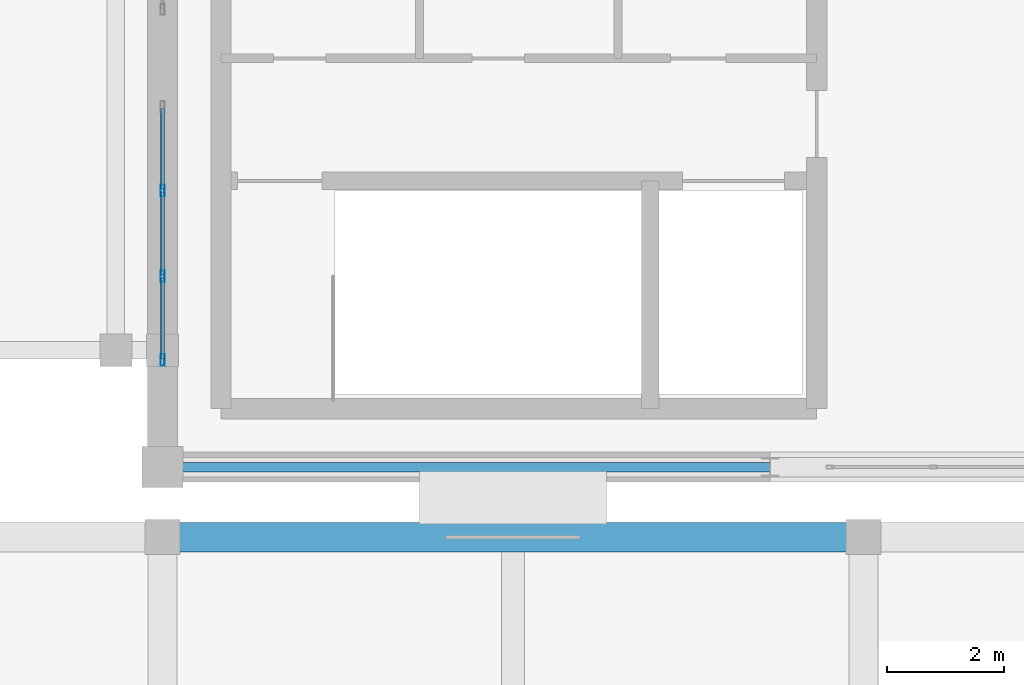
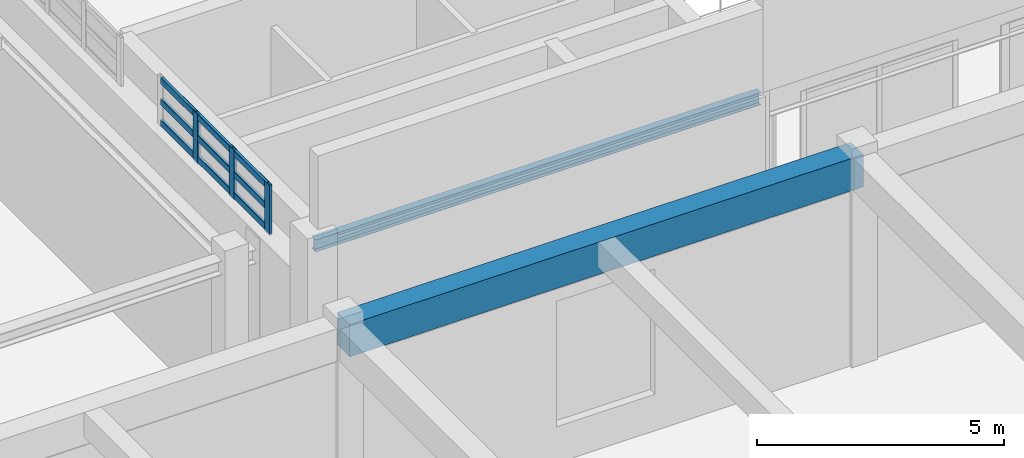
# One storey, part 95 of 197: 12 members, 2 beams, 1 element without a shape of its own.
"""IFC4 building model written with IfcOpenShell, lengths in metres."""

from ifc_helpers import new_model, si_unit, derived_unit, direction, frame, origin, origin_2d, place, context, subcontext, project, spatial, rectangle, hollow_rectangle, i_section, extrude, material, layer, layer_set, material_profile, profile_set, type_object, element, aggregate, save


model = new_model("IFC4")

# Units and contexts
model_context = context("Model", 3, precision=1e-05, world=origin(), true_north=direction((0.0, 1.0)))
body_context = subcontext(model_context, "Body", "Model", "MODEL_VIEW")
ifc_project = project(units=[si_unit("LENGTHUNIT", "METRE"), si_unit("AREAUNIT", "SQUARE_METRE"), si_unit("VOLUMEUNIT", "CUBIC_METRE"), si_unit("PLANEANGLEUNIT", "RADIAN"), si_unit("MASSUNIT", "GRAM", prefix="KILO"), derived_unit("THERMALTRANSMITTANCEUNIT", [(si_unit("POWERUNIT", "WATT"), 1), (si_unit("LENGTHUNIT", "METRE"), -2), (si_unit("THERMODYNAMICTEMPERATUREUNIT", "KELVIN"), -1)])], contexts=[model_context])

# Site, building, storey
site_placement = place(None, origin())
site = spatial("IfcSite", under=ifc_project, at=site_placement, CompositionType="ELEMENT")
building_placement = place(site_placement, origin())
building = spatial("IfcBuilding", under=site, at=building_placement, Name="Almenara Railside Exhibition Hall", CompositionType="ELEMENT")
storey_placement = place(building_placement, frame((0.0, 0.0, 5.39990234375)))
storey = spatial("IfcBuildingStorey", under=building, at=storey_placement, Name="L01", CompositionType="ELEMENT", Elevation=5.39990234375)

# Curtain wall, members
ifc_material_1 = material(Name="Bronze-anodised aluminium and low-E double glazing", Category="aluminium")
ifc_layer = layer(ifc_material_1, 0.179931640625, Name="Bronze-anodised aluminium and low-E double glazing")
ifc_layer_set = layer_set([ifc_layer], Name="Bronze-anodised aluminium and low-E double glazing")
curtain_wall_type = type_object("IfcCurtainWallType", Name="East Hall Clerestory Curtain Wall 4400x2300", PredefinedType="NOTDEFINED", material=ifc_layer_set)
curtain_wall_placement = place(storey_placement, origin())
curtain_wall = element("IfcCurtainWall", 1, at=curtain_wall_placement, inside=storey, type_object=curtain_wall_type, Name="Curtain wall CW-CL3-051", PredefinedType="NOTDEFINED")
ifc_material_2 = material(Name="Bronze-anodised aluminium", Category="aluminium")
ifc_material_profile_1 = material_profile(ifc_material_2, hollow_rectangle(XDim=0.070068359375, YDim=0.199951171875, WallThickness=0.00439453125, InnerFilletRadius=0.00439453125, OuterFilletRadius=0.009033203125, at=origin_2d()), Name="ALU-MUL 70x200x4.5")
ifc_profile_set_1 = profile_set([ifc_material_profile_1], Name="Bronze-anodised aluminium")
member_type_1 = type_object("IfcMemberType", Name="Curtain Wall Mullion 70x200x4.5", PredefinedType="MULLION", material=ifc_profile_set_1)
member_1_placement = place(storey_placement, frame((138.0, 35.8349609375, 5.4150390625), z_axis=(0.0, 0.0, 1.0), x_axis=(-1.0, 0.0, 0.0)))
member_1 = element("IfcMember", 2, at=member_1_placement, type_object=member_type_1, Name="CW-CL3-051 mullion 1", PredefinedType="MULLION", context=body_context, shape_type="SweptSolid", body=[
    extrude(hollow_rectangle(XDim=0.070068359375, YDim=0.199951171875, WallThickness=0.00439453125, InnerFilletRadius=0.00439453125, OuterFilletRadius=0.009033203125, at=origin_2d()), origin(), (0.0, 0.0, 1.0), 1.235107421875),
])
member_2_placement = place(storey_placement, frame((138.0, 37.2666015625, 5.4150390625), z_axis=(0.0, 0.0, 1.0), x_axis=(-1.0, 0.0, 0.0)))
member_2 = element("IfcMember", 3, at=member_2_placement, type_object=member_type_1, Name="CW-CL3-051 mullion 2", PredefinedType="MULLION", context=body_context, shape_type="SweptSolid", body=[
    extrude(hollow_rectangle(XDim=0.070068359375, YDim=0.199951171875, WallThickness=0.00439453125, InnerFilletRadius=0.00439453125, OuterFilletRadius=0.009033203125, at=origin_2d()), origin(), (0.0, 0.0, 1.0), 1.235107421875),
])
member_3_placement = place(storey_placement, frame((138.0, 38.7333984375, 5.4150390625), z_axis=(0.0, 0.0, 1.0), x_axis=(-1.0, 0.0, 0.0)))
member_3 = element("IfcMember", 4, at=member_3_placement, type_object=member_type_1, Name="CW-CL3-051 mullion 3", PredefinedType="MULLION", context=body_context, shape_type="SweptSolid", body=[
    extrude(hollow_rectangle(XDim=0.070068359375, YDim=0.199951171875, WallThickness=0.00439453125, InnerFilletRadius=0.00439453125, OuterFilletRadius=0.009033203125, at=origin_2d()), origin(), (0.0, 0.0, 1.0), 1.235107421875),
])
ifc_material_profile_2 = material_profile(ifc_material_2, hollow_rectangle(XDim=0.070068359375, YDim=0.159912109375, WallThickness=0.00390625, InnerFilletRadius=0.00390625, OuterFilletRadius=0.008056640625, at=origin_2d()), Name="ALU-TRN 70x160x4")
ifc_profile_set_2 = profile_set([ifc_material_profile_2], Name="Bronze-anodised aluminium")
member_type_2 = type_object("IfcMemberType", Name="Curtain Wall Transom 70x160x4", PredefinedType="USERDEFINED", material=ifc_profile_set_2)
member_4_placement = place(storey_placement, frame((138.0, 35.862060546875, 5.530029296875), z_axis=(0.0, 1.0, 0.0), x_axis=(-1.0, 0.0, 0.0)))
member_4 = element("IfcMember", 5, at=member_4_placement, type_object=member_type_2, Name="CW-CL3-051 transom 1.1", ObjectType="TRANSOM", PredefinedType="USERDEFINED", context=body_context, shape_type="SweptSolid", body=[
    extrude(hollow_rectangle(XDim=0.070068359375, YDim=0.159912109375, WallThickness=0.00390625, InnerFilletRadius=0.00390625, OuterFilletRadius=0.008056640625, at=origin_2d()), origin(), (0.0, 0.0, 1.0), 1.377685546875),
])
member_5_placement = place(storey_placement, frame((138.0, 35.862060546875, 6.050048828125), z_axis=(0.0, 1.0, 0.0), x_axis=(-1.0, 0.0, 0.0)))
member_5 = element("IfcMember", 6, at=member_5_placement, type_object=member_type_2, Name="CW-CL3-051 transom 1.2", ObjectType="TRANSOM", PredefinedType="USERDEFINED", context=body_context, shape_type="SweptSolid", body=[
    extrude(hollow_rectangle(XDim=0.070068359375, YDim=0.159912109375, WallThickness=0.00390625, InnerFilletRadius=0.00390625, OuterFilletRadius=0.008056640625, at=origin_2d()), origin(), (0.0, 0.0, 1.0), 1.377685546875),
])
member_6_placement = place(storey_placement, frame((138.0, 35.862060546875, 6.570068359375), z_axis=(0.0, 1.0, 0.0), x_axis=(-1.0, 0.0, 0.0)))
member_6 = element("IfcMember", 7, at=member_6_placement, type_object=member_type_2, Name="CW-CL3-051 transom 1.3", ObjectType="TRANSOM", PredefinedType="USERDEFINED", context=body_context, shape_type="SweptSolid", body=[
    extrude(hollow_rectangle(XDim=0.070068359375, YDim=0.159912109375, WallThickness=0.00390625, InnerFilletRadius=0.00390625, OuterFilletRadius=0.008056640625, at=origin_2d()), origin(), (0.0, 0.0, 1.0), 1.377685546875),
])
member_7_placement = place(storey_placement, frame((138.0, 37.293701171875, 5.530029296875), z_axis=(0.0, 1.0, 0.0), x_axis=(-1.0, 0.0, 0.0)))
member_7 = element("IfcMember", 8, at=member_7_placement, type_object=member_type_2, Name="CW-CL3-051 transom 2.1", ObjectType="TRANSOM", PredefinedType="USERDEFINED", context=body_context, shape_type="SweptSolid", body=[
    extrude(hollow_rectangle(XDim=0.070068359375, YDim=0.159912109375, WallThickness=0.00390625, InnerFilletRadius=0.00390625, OuterFilletRadius=0.008056640625, at=origin_2d()), origin(), (0.0, 0.0, 1.0), 1.41259765625),
])
member_8_placement = place(storey_placement, frame((138.0, 37.293701171875, 6.050048828125), z_axis=(0.0, 1.0, 0.0), x_axis=(-1.0, 0.0, 0.0)))
member_8 = element("IfcMember", 9, at=member_8_placement, type_object=member_type_2, Name="CW-CL3-051 transom 2.2", ObjectType="TRANSOM", PredefinedType="USERDEFINED", context=body_context, shape_type="SweptSolid", body=[
    extrude(hollow_rectangle(XDim=0.070068359375, YDim=0.159912109375, WallThickness=0.00390625, InnerFilletRadius=0.00390625, OuterFilletRadius=0.008056640625, at=origin_2d()), origin(), (0.0, 0.0, 1.0), 1.41259765625),
])
member_9_placement = place(storey_placement, frame((138.0, 37.293701171875, 6.570068359375), z_axis=(0.0, 1.0, 0.0), x_axis=(-1.0, 0.0, 0.0)))
member_9 = element("IfcMember", 10, at=member_9_placement, type_object=member_type_2, Name="CW-CL3-051 transom 2.3", ObjectType="TRANSOM", PredefinedType="USERDEFINED", context=body_context, shape_type="SweptSolid", body=[
    extrude(hollow_rectangle(XDim=0.070068359375, YDim=0.159912109375, WallThickness=0.00390625, InnerFilletRadius=0.00390625, OuterFilletRadius=0.008056640625, at=origin_2d()), origin(), (0.0, 0.0, 1.0), 1.41259765625),
])
member_10_placement = place(storey_placement, frame((138.0, 38.76025390625, 5.530029296875), z_axis=(0.0, 1.0, 0.0), x_axis=(-1.0, 0.0, 0.0)))
member_10 = element("IfcMember", 11, at=member_10_placement, type_object=member_type_2, Name="CW-CL3-051 transom 3.1", ObjectType="TRANSOM", PredefinedType="USERDEFINED", context=body_context, shape_type="SweptSolid", body=[
    extrude(hollow_rectangle(XDim=0.070068359375, YDim=0.159912109375, WallThickness=0.00390625, InnerFilletRadius=0.00390625, OuterFilletRadius=0.008056640625, at=origin_2d()), origin(), (0.0, 0.0, 1.0), 1.377685546875),
])
member_11_placement = place(storey_placement, frame((138.0, 38.76025390625, 6.050048828125), z_axis=(0.0, 1.0, 0.0), x_axis=(-1.0, 0.0, 0.0)))
member_11 = element("IfcMember", 12, at=member_11_placement, type_object=member_type_2, Name="CW-CL3-051 transom 3.2", ObjectType="TRANSOM", PredefinedType="USERDEFINED", context=body_context, shape_type="SweptSolid", body=[
    extrude(hollow_rectangle(XDim=0.070068359375, YDim=0.159912109375, WallThickness=0.00390625, InnerFilletRadius=0.00390625, OuterFilletRadius=0.008056640625, at=origin_2d()), origin(), (0.0, 0.0, 1.0), 1.377685546875),
])
member_12_placement = place(storey_placement, frame((138.0, 38.76025390625, 6.570068359375), z_axis=(0.0, 1.0, 0.0), x_axis=(-1.0, 0.0, 0.0)))
member_12 = element("IfcMember", 13, at=member_12_placement, type_object=member_type_2, Name="CW-CL3-051 transom 3.3", ObjectType="TRANSOM", PredefinedType="USERDEFINED", context=body_context, shape_type="SweptSolid", body=[
    extrude(hollow_rectangle(XDim=0.070068359375, YDim=0.159912109375, WallThickness=0.00390625, InnerFilletRadius=0.00390625, OuterFilletRadius=0.008056640625, at=origin_2d()), origin(), (0.0, 0.0, 1.0), 1.377685546875),
])
aggregate(curtain_wall, [member_1, member_2, member_3, member_4, member_5, member_6, member_7, member_8, member_9, member_10, member_11, member_12])

# Beams
ifc_material_3 = material(Name="Concrete C35/45", Category="concrete")
ifc_material_profile_3 = material_profile(ifc_material_3, rectangle(XDim=0.5, YDim=0.800048828125, at=origin_2d()), Name="RC 500x800")
ifc_profile_set_3 = profile_set([ifc_material_profile_3], Name="Concrete C35/45")
beam_type_1 = type_object("IfcBeamType", Name="RC Primary Beam 500x800 C35/45", PredefinedType="BEAM", material=ifc_profile_set_3)
beam_1_placement = place(storey_placement, frame((138.0, 32.800048828125, 4.736083984375), z_axis=(1.0, 0.0, 0.0), x_axis=(0.0, 1.0, 0.0)))
element("IfcBeam", 14, at=beam_1_placement, inside=storey, type_object=beam_type_1, Name="Beam 0194", PredefinedType="BEAM", context=body_context, shape_type="SweptSolid", body=[
    extrude(rectangle(XDim=0.5, YDim=0.800048828125, at=origin_2d()), origin(), (0.0, 0.0, 1.0), 12.0),
])
ifc_material_4 = material(Name="Structural steel S355JR", Category="steel")
ifc_material_profile_4 = material_profile(ifc_material_4, i_section(OverallWidth=0.1650390625, OverallDepth=0.303466796875, WebThickness=0.006103515625, FlangeThickness=0.01025390625, FilletRadius=0.0087890625, at=origin_2d()), Name="UB 305x165x40")
ifc_profile_set_4 = profile_set([ifc_material_profile_4], Name="Structural steel S355JR")
beam_type_2 = type_object("IfcBeamType", Name="Steel Canopy Edge Spandrel UB 305x165x40 S355JR", PredefinedType="SPANDREL", material=ifc_profile_set_4)
beam_2_placement = place(storey_placement, frame((138.0, 34.0, 6.248291015625), z_axis=(1.0, 0.0, 0.0), x_axis=(0.0, 1.0, 0.0)))
element("IfcBeam", 15, at=beam_2_placement, inside=storey, type_object=beam_type_2, Name="BM-CRNLNT-V2G1-34", PredefinedType="SPANDREL", context=body_context, shape_type="SweptSolid", body=[
    extrude(i_section(OverallWidth=0.1650390625, OverallDepth=0.303466796875, WebThickness=0.006103515625, FlangeThickness=0.01025390625, FilletRadius=0.0087890625, at=origin_2d()), origin(), (0.0, 0.0, 1.0), 10.39990234375),
])

save(model, "model.ifc")
